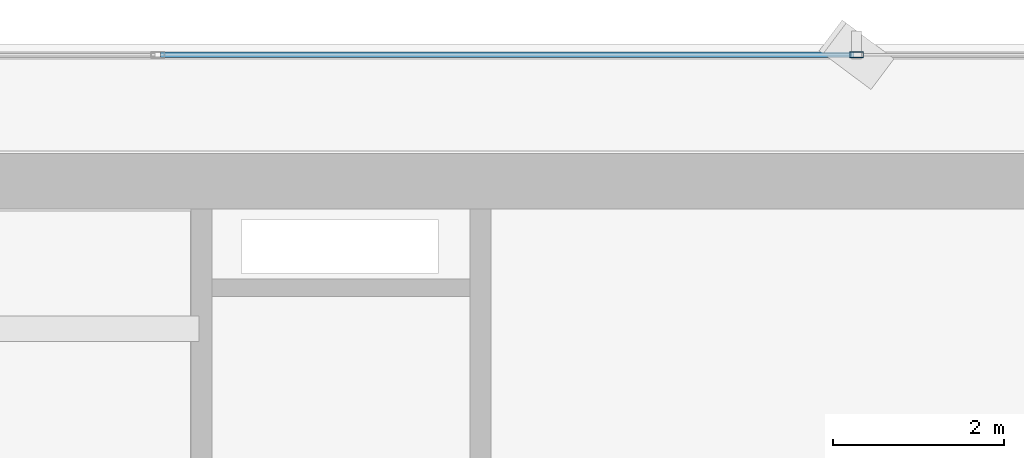
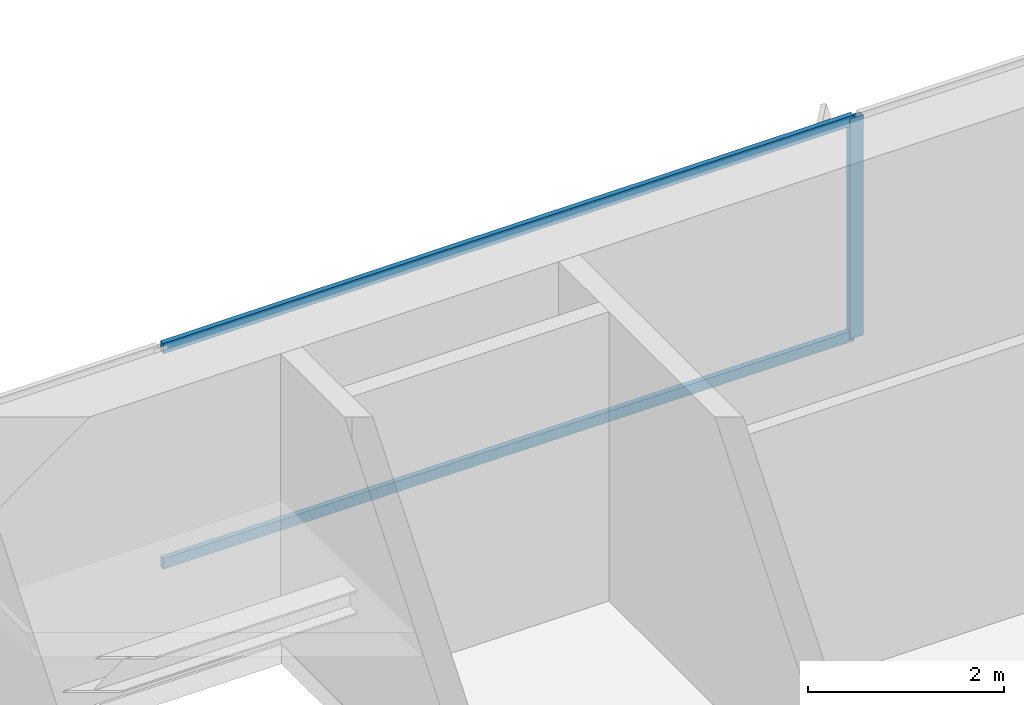
# One storey, part 21 of 36: 3 members, 1 element without a shape of its own.
"""IFC4 building model written with IfcOpenShell, lengths in metres."""

from ifc_helpers import new_model, si_unit, direction, frame, origin, origin_2d, place, context, subcontext, project, spatial, hollow_rectangle, extrude, source, transform, mapped, material, layer, layer_set, material_profile, profile_set, type_object, element, aggregate, save


model = new_model("IFC4")

# Units and contexts
model_context = context("Model", 3, precision=1e-05, world=origin(), true_north=direction((0.0, 1.0)))
body_context = subcontext(model_context, "Body", "Model", "MODEL_VIEW")
ifc_project = project(units=[si_unit("LENGTHUNIT", "METRE"), si_unit("AREAUNIT", "SQUARE_METRE"), si_unit("VOLUMEUNIT", "CUBIC_METRE"), si_unit("PLANEANGLEUNIT", "RADIAN"), si_unit("MASSUNIT", "GRAM", prefix="KILO")], contexts=[model_context])

# Site, building, storey
site_placement = place(None, origin())
site = spatial("IfcSite", under=ifc_project, at=site_placement, CompositionType="ELEMENT")
building_placement = place(site_placement, origin())
building = spatial("IfcBuilding", under=site, at=building_placement, Name="Sumidabori Civic Tower", CompositionType="ELEMENT")
storey_placement = place(building_placement, frame((0.0, 0.0, 84.800048828125)))
storey = spatial("IfcBuildingStorey", under=building, at=storey_placement, Name="L21", CompositionType="ELEMENT", Elevation=84.800048828125)

# Curtain wall, members
ifc_material = material(Name="Anodised Bronze Aluminium AW-6063-T6", Category="aluminium")
ifc_layer = layer(ifc_material, 0.179931640625, Name="Anodised Bronze Aluminium AW-6063-T6")
ifc_layer_set = layer_set([ifc_layer], Name="Anodised Bronze Aluminium AW-6063-T6")
curtain_wall_type = type_object("IfcCurtainWallType", Name="CW-SYS-3", PredefinedType="NOTDEFINED", material=ifc_layer_set)
curtain_wall_placement = place(storey_placement, origin())
curtain_wall = element("IfcCurtainWall", 1, at=curtain_wall_placement, inside=storey, type_object=curtain_wall_type, Name="Curtain Wall CW:L21:R07", PredefinedType="NOTDEFINED")
ifc_material_profile_1 = material_profile(ifc_material, hollow_rectangle(XDim=0.06494140625, YDim=0.159912109375, WallThickness=0.0048828125, at=origin_2d()), Name="ALU MULLION 160x65")
ifc_profile_set_1 = profile_set([ifc_material_profile_1], Name="Anodised Bronze Aluminium AW-6063-T6")
member_type_1 = type_object("IfcMemberType", Name="CW-MUL-160", PredefinedType="MULLION", material=ifc_profile_set_1)
shared_shape_1 = source(origin(), body_context, "Body", "SweptSolid", [
    extrude(hollow_rectangle(XDim=0.06494140625, YDim=0.159912109375, WallThickness=0.0048828125, at=origin_2d()), origin(), (0.0, 0.0, 1.0), 2.739990234375),
])
member_1_placement = place(storey_placement, frame((-4.093994140625, 25.280029296875, 0.0), z_axis=(0.0, 0.0, 1.0), x_axis=(0.0, -1.0, 0.0)))
member_1 = element("IfcMember", 2, at=member_1_placement, type_object=member_type_1, Name="CW-3 mullion 4", PredefinedType="MULLION", context=body_context, shape_type="MappedRepresentation", body=[
    mapped(shared_shape_1, transform((0.0, 0.0, 0.0), x_axis=(1.0, 0.0, 0.0), y_axis=(0.0, 1.0, 0.0), z_axis=(0.0, 0.0, 1.0), scale=1.0)),
])
ifc_material_profile_2 = material_profile(ifc_material, hollow_rectangle(XDim=0.06005859375, YDim=0.1298828125, WallThickness=0.0048828125, at=origin_2d()), Name="ALU TRANSOM 130x60")
ifc_profile_set_2 = profile_set([ifc_material_profile_2], Name="Anodised Bronze Aluminium AW-6063-T6")
member_type_2 = type_object("IfcMemberType", Name="CW-TRN-130", PredefinedType="USERDEFINED", material=ifc_profile_set_2)
shared_shape_2 = source(origin(), body_context, "Body", "SweptSolid", [
    extrude(hollow_rectangle(XDim=0.06005859375, YDim=0.1298828125, WallThickness=0.0048828125, at=origin_2d()), origin(), (0.0, 0.0, 1.0), 8.123046875),
])
member_2_placement = place(storey_placement, frame((-4.12646484375, 25.280029296875, 0.030029296875), z_axis=(-1.0, 0.0, 0.0), x_axis=(0.0, -1.0, 0.0)))
member_2 = element("IfcMember", 3, at=member_2_placement, type_object=member_type_2, Name="CW-3 transom 4.1", ObjectType="TRANSOM", PredefinedType="USERDEFINED", context=body_context, shape_type="MappedRepresentation", body=[
    mapped(shared_shape_2, transform((0.0, 0.0, 0.0), x_axis=(1.0, 0.0, 0.0), y_axis=(0.0, 1.0, 0.0), z_axis=(0.0, 0.0, 1.0), scale=1.0)),
])
member_3_placement = place(storey_placement, frame((-4.12646484375, 25.280029296875, 2.7099609375), z_axis=(-1.0, 0.0, 0.0), x_axis=(0.0, -1.0, 0.0)))
member_3 = element("IfcMember", 4, at=member_3_placement, type_object=member_type_2, Name="CW-3 transom 4.2", ObjectType="TRANSOM", PredefinedType="USERDEFINED", context=body_context, shape_type="MappedRepresentation", body=[
    mapped(shared_shape_2, transform((0.0, 0.0, 0.0), x_axis=(1.0, 0.0, 0.0), y_axis=(0.0, 1.0, 0.0), z_axis=(0.0, 0.0, 1.0), scale=1.0)),
])
aggregate(curtain_wall, [member_1, member_2, member_3])

save(model, "model.ifc")
